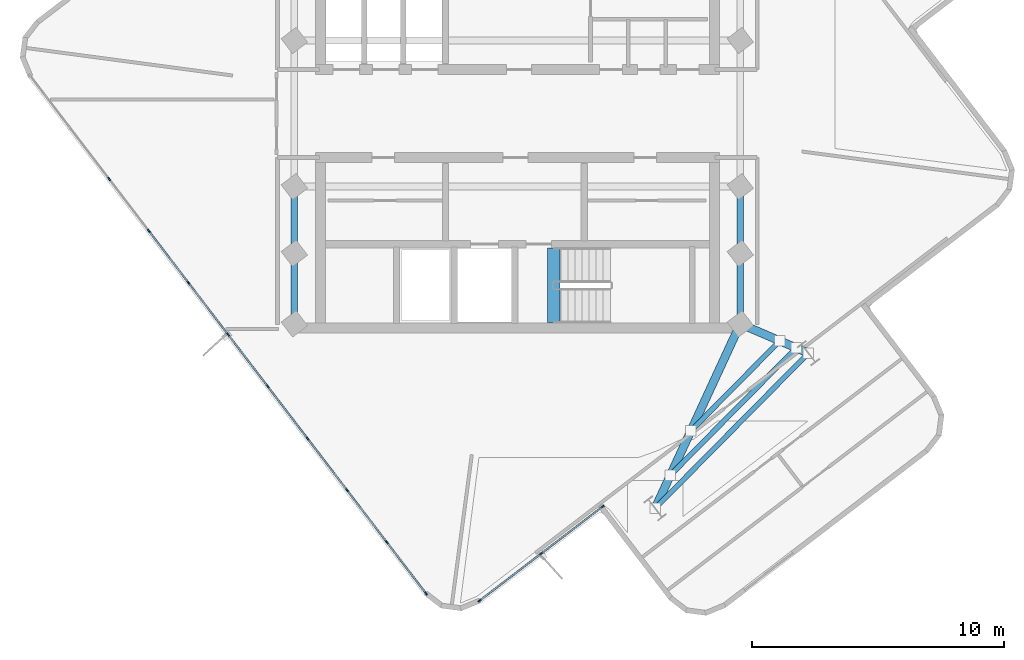
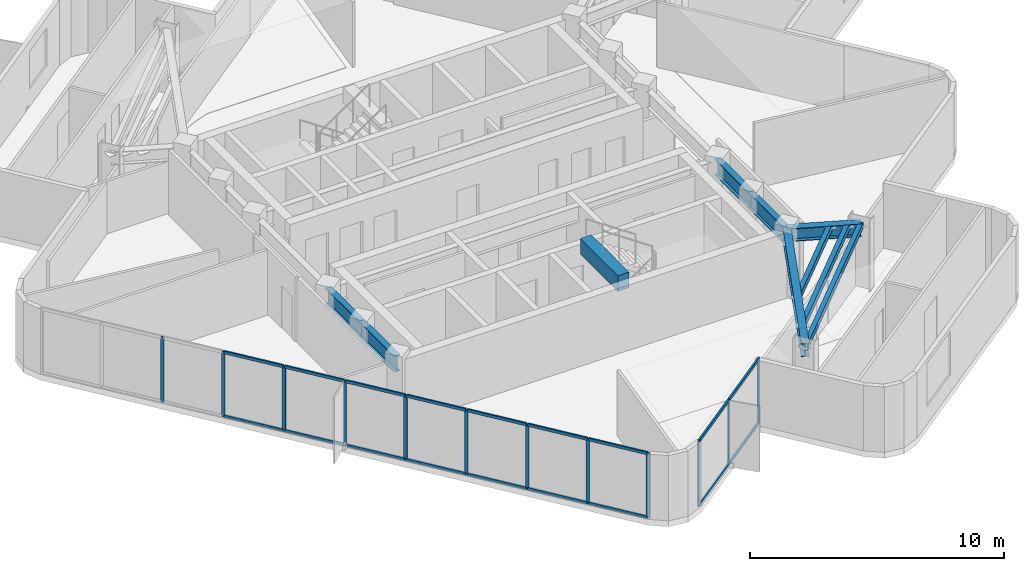
# One storey, part 2 of 9: 30 members, 10 beams, 2 elements without a shape of their own.
"""IFC4 building model written with IfcOpenShell, lengths in metres."""

from ifc_helpers import new_model, si_unit, direction, frame, origin, origin_2d, place, context, subcontext, project, spatial, rectangle, hollow_rectangle, i_section, extrude, material, layer, layer_set, material_profile, profile_set, type_object, element, aggregate, save


model = new_model("IFC4")

# Units and contexts
model_context = context("Model", 3, precision=1e-05, world=origin(), true_north=direction((0.0, 1.0)))
body_context = subcontext(model_context, "Body", "Model", "MODEL_VIEW")
ifc_project = project(units=[si_unit("LENGTHUNIT", "METRE"), si_unit("AREAUNIT", "SQUARE_METRE"), si_unit("VOLUMEUNIT", "CUBIC_METRE"), si_unit("PLANEANGLEUNIT", "RADIAN"), si_unit("MASSUNIT", "GRAM", prefix="KILO")], contexts=[model_context])

# Site, building, storey
site_placement = place(None, origin())
site = spatial("IfcSite", under=ifc_project, at=site_placement, CompositionType="ELEMENT")
building_placement = place(site_placement, origin())
building = spatial("IfcBuilding", under=site, at=building_placement, Name="Solmarez Civic Tower", CompositionType="ELEMENT")
storey_placement = place(building_placement, frame((0.0, 0.0, 229.139892578125)))
storey = spatial("IfcBuildingStorey", under=building, at=storey_placement, Name="L61", CompositionType="ELEMENT", Elevation=229.139892578125)

# Beams
ifc_material_1 = material(Name="Steel S355", Category="steel")
ifc_material_profile_1 = material_profile(ifc_material_1, hollow_rectangle(XDim=0.199951171875, YDim=0.300048828125, WallThickness=0.011962890625, at=origin_2d()), Name="HSS300X200X12")
ifc_profile_set_1 = profile_set([ifc_material_profile_1], Name="Steel S355")
beam_type_1 = type_object("IfcBeamType", Name="BM-JS-HSS300X200", PredefinedType="JOIST", material=ifc_profile_set_1)
beam_1_placement = place(storey_placement, frame((5.468017578125, -15.6708984375, 2.989990234375), z_axis=(0.702766092364, 0.711420986072, 0.0), x_axis=(-0.711420986072, 0.702766092364, 0.0)))
element("IfcBeam", 1, at=beam_1_placement, inside=storey, type_object=beam_type_1, Name="L61 Secondary Floor Joist BM-L61-SA-T1", PredefinedType="JOIST", context=body_context, shape_type="SweptSolid", body=[
    extrude(hollow_rectangle(XDim=0.199951171875, YDim=0.300048828125, WallThickness=0.011962890625, at=origin_2d()), origin(), (0.0, 0.0, 1.0), 8.659912109375),
])
beam_2_placement = place(storey_placement, frame((6.887939453125, -12.595947265625, 2.989990234375), z_axis=(0.702816380081, 0.711371306625, 0.0), x_axis=(-0.711371306625, 0.702816380081, 0.0)))
element("IfcBeam", 2, at=beam_2_placement, inside=storey, type_object=beam_type_1, Name="L61 Secondary Floor Joist JS-L61-SA-M11", PredefinedType="JOIST", context=body_context, shape_type="SweptSolid", body=[
    extrude(hollow_rectangle(XDim=0.199951171875, YDim=0.300048828125, WallThickness=0.011962890625, at=origin_2d()), origin(), (0.0, 0.0, 1.0), 5.022705078125),
])
beam_3_placement = place(storey_placement, frame((6.076904296875, -14.35302734375, 2.989990234375), z_axis=(0.702726827997, 0.711459770622, 0.0), x_axis=(-0.711459770622, 0.702726827997, 0.0)))
element("IfcBeam", 3, at=beam_3_placement, inside=storey, type_object=beam_type_1, Name="L61 Secondary Floor Joist JS-L61-SA-M12", PredefinedType="JOIST", context=body_context, shape_type="SweptSolid", body=[
    extrude(hollow_rectangle(XDim=0.199951171875, YDim=0.300048828125, WallThickness=0.011962890625, at=origin_2d()), origin(), (0.0, 0.0, 1.0), 7.100830078125),
])
ifc_material_2 = material(Name="Concrete C50/60", Category="concrete")
ifc_material_profile_2 = material_profile(ifc_material_2, rectangle(XDim=0.5, YDim=0.75, at=origin_2d()), Name="RC500X750")
ifc_profile_set_2 = profile_set([ifc_material_profile_2], Name="Concrete C50/60")
beam_type_2 = type_object("IfcBeamType", Name="BM-PR-RC500X750", PredefinedType="BEAM", material=ifc_profile_set_2)
beam_4_placement = place(storey_placement, frame((1.449951171875, -8.300048828125, 3.05322265625), z_axis=(0.0, 1.0, 0.0), x_axis=(-1.0, 0.0, 0.0)))
element("IfcBeam", 4, at=beam_4_placement, inside=storey, type_object=beam_type_2, Name="L61 South Stair Threshold Beam", PredefinedType="BEAM", context=body_context, shape_type="SweptSolid", body=[
    extrude(rectangle(XDim=0.5, YDim=0.75, at=origin_2d()), origin(), (0.0, 0.0, 1.0), 2.9599609375),
])
ifc_material_profile_3 = material_profile(ifc_material_1, i_section(OverallWidth=0.327880859375, OverallDepth=0.6220703125, WebThickness=0.015380859375, FlangeThickness=0.0244140625, at=origin_2d()), Name="W24X131")
ifc_profile_set_3 = profile_set([ifc_material_profile_3], Name="Steel S355")
beam_type_3 = type_object("IfcBeamType", Name="BM-PR-W24X131", PredefinedType="BEAM", material=ifc_profile_set_3)
beam_5_placement = place(storey_placement, frame((8.85009765625, -8.35009765625, 2.8291015625), z_axis=(-0.419390280967, -0.907806032273, 0.0), x_axis=(0.907806032273, -0.419390280967, 0.0)))
element("IfcBeam", 5, at=beam_5_placement, inside=storey, type_object=beam_type_3, Name="L61 Primary Floor Beam BM-L61-SA-R1A", PredefinedType="BEAM", context=body_context, shape_type="SweptSolid", body=[
    extrude(i_section(OverallWidth=0.327880859375, OverallDepth=0.6220703125, WebThickness=0.015380859375, FlangeThickness=0.0244140625, at=origin_2d()), origin(), (0.0, 0.0, 1.0), 8.064208984375),
])
beam_6_placement = place(storey_placement, frame((8.85009765625, -8.35009765625, 2.8291015625), z_axis=(0.919007627325, -0.394239750557, 0.0), x_axis=(0.394239750557, 0.919007627325, 0.0)))
element("IfcBeam", 6, at=beam_6_placement, inside=storey, type_object=beam_type_3, Name="L61 Primary Floor Beam BM-L61-SA-R1B", PredefinedType="BEAM", context=body_context, shape_type="SweptSolid", body=[
    extrude(i_section(OverallWidth=0.327880859375, OverallDepth=0.6220703125, WebThickness=0.015380859375, FlangeThickness=0.0244140625, at=origin_2d()), origin(), (0.0, 0.0, 1.0), 2.942138671875),
])
ifc_material_profile_4 = material_profile(ifc_material_1, i_section(OverallWidth=0.26708984375, OverallDepth=0.761962890625, WebThickness=0.014404296875, FlangeThickness=0.021484375, at=origin_2d()), Name="W30X116")
ifc_profile_set_4 = profile_set([ifc_material_profile_4], Name="Steel S355")
beam_type_4 = type_object("IfcBeamType", Name="BM-PR-W30X116", PredefinedType="BEAM", material=ifc_profile_set_4)
beam_7_placement = place(storey_placement, frame((-8.85009765625, -8.35009765625, 2.759033203125), z_axis=(0.0, 1.0, 0.0), x_axis=(-1.0, 0.0, 0.0)))
element("IfcBeam", 7, at=beam_7_placement, inside=storey, type_object=beam_type_4, Name="L61 Primary Floor Beam BM-L61-HC12-HC1", PredefinedType="BEAM", context=body_context, shape_type="SweptSolid", body=[
    extrude(i_section(OverallWidth=0.26708984375, OverallDepth=0.761962890625, WebThickness=0.014404296875, FlangeThickness=0.021484375, at=origin_2d()), origin(), (0.0, 0.0, 1.0), 2.800048828125),
])
beam_8_placement = place(storey_placement, frame((-8.85009765625, -5.550048828125, 2.759033203125), z_axis=(0.0, 1.0, 0.0), x_axis=(-1.0, 0.0, 0.0)))
element("IfcBeam", 8, at=beam_8_placement, inside=storey, type_object=beam_type_4, Name="L61 Primary Floor Beam BM-L61-HC1-HC2", PredefinedType="BEAM", context=body_context, shape_type="SweptSolid", body=[
    extrude(i_section(OverallWidth=0.26708984375, OverallDepth=0.761962890625, WebThickness=0.014404296875, FlangeThickness=0.021484375, at=origin_2d()), origin(), (0.0, 0.0, 1.0), 2.650146484375),
])
beam_9_placement = place(storey_placement, frame((8.85009765625, -8.35009765625, 2.759033203125), z_axis=(0.0, 1.0, 0.0), x_axis=(-1.0, 0.0, 0.0)))
element("IfcBeam", 9, at=beam_9_placement, inside=storey, type_object=beam_type_4, Name="L61 Primary Floor Beam BM-L61-HC10-HC5", PredefinedType="BEAM", context=body_context, shape_type="SweptSolid", body=[
    extrude(i_section(OverallWidth=0.26708984375, OverallDepth=0.761962890625, WebThickness=0.014404296875, FlangeThickness=0.021484375, at=origin_2d()), origin(), (0.0, 0.0, 1.0), 2.800048828125),
])
beam_10_placement = place(storey_placement, frame((8.85009765625, -5.550048828125, 2.759033203125), z_axis=(0.0, 1.0, 0.0), x_axis=(-1.0, 0.0, 0.0)))
element("IfcBeam", 10, at=beam_10_placement, inside=storey, type_object=beam_type_4, Name="L61 Primary Floor Beam BM-L61-HC5-HC6", PredefinedType="BEAM", context=body_context, shape_type="SweptSolid", body=[
    extrude(i_section(OverallWidth=0.26708984375, OverallDepth=0.761962890625, WebThickness=0.014404296875, FlangeThickness=0.021484375, at=origin_2d()), origin(), (0.0, 0.0, 1.0), 2.650146484375),
])

# Curtain wall, members
ifc_material_3 = material(Name="Bronze Anodised Aluminium EN AW-6063 T6", Category="aluminium")
ifc_layer = layer(ifc_material_3, 0.1650390625)
ifc_layer_set = layer_set([ifc_layer], Name="Bronze Anodised Aluminium EN AW-6063 T6")
curtain_wall_type = type_object("IfcCurtainWallType", Name="CW-SYS-4", PredefinedType="NOTDEFINED", material=ifc_layer_set)
curtain_wall_1_placement = place(storey_placement, origin())
curtain_wall_1 = element("IfcCurtainWall", 11, at=curtain_wall_1_placement, inside=storey, type_object=curtain_wall_type, Name="L61 Stick-Built Curtain Wall 1", PredefinedType="NOTDEFINED")
ifc_material_profile_5 = material_profile(ifc_material_3, rectangle(XDim=0.06005859375, YDim=0.14990234375, at=origin_2d()), Name="CWM-60X150")
ifc_profile_set_5 = profile_set([ifc_material_profile_5], Name="Bronze Anodised Aluminium EN AW-6063 T6")
member_type_1 = type_object("IfcMemberType", Name="CWM-TYPE-4", PredefinedType="MULLION", material=ifc_profile_set_5)
member_1_placement = place(storey_placement, frame((3.382080078125, -15.602294921875, 0.0), z_axis=(0.0, 0.0, 1.0), x_axis=(0.607480028029, -0.794334951734, 0.0)))
member_1 = element("IfcMember", 12, at=member_1_placement, type_object=member_type_1, Name="CWS4 mullion 1", PredefinedType="MULLION", context=body_context, shape_type="SweptSolid", body=[
    extrude(rectangle(XDim=0.06005859375, YDim=0.14990234375, at=origin_2d()), origin(), (0.0, 0.0, 1.0), 3.14013671875),
])
member_2_placement = place(storey_placement, frame((0.9423828125, -17.468017578125, 0.0), z_axis=(0.0, 0.0, 1.0), x_axis=(0.607480028029, -0.794334951734, 0.0)))
member_2 = element("IfcMember", 13, at=member_2_placement, type_object=member_type_1, Name="CWS4 mullion 2", PredefinedType="MULLION", context=body_context, shape_type="SweptSolid", body=[
    extrude(rectangle(XDim=0.06005859375, YDim=0.14990234375, at=origin_2d()), origin(), (0.0, 0.0, 1.0), 3.14013671875),
])
member_3_placement = place(storey_placement, frame((-1.4970703125, -19.333740234375, 0.0), z_axis=(0.0, 0.0, 1.0), x_axis=(0.607480028029, -0.794334951734, 0.0)))
member_3 = element("IfcMember", 14, at=member_3_placement, type_object=member_type_1, Name="CWS4 mullion 3", PredefinedType="MULLION", context=body_context, shape_type="SweptSolid", body=[
    extrude(rectangle(XDim=0.06005859375, YDim=0.14990234375, at=origin_2d()), origin(), (0.0, 0.0, 1.0), 3.14013671875),
])

curtain_wall_2_placement = place(storey_placement, origin())
curtain_wall_2 = element("IfcCurtainWall", 15, at=curtain_wall_2_placement, inside=storey, type_object=curtain_wall_type, Name="L61 Stick-Built Curtain Wall 2", PredefinedType="NOTDEFINED")
member_4_placement = place(storey_placement, frame((-3.625244140625, -19.050048828125, 0.0), z_axis=(0.0, 0.0, 1.0), x_axis=(-0.794434469598, -0.607349877348, 0.0)))
member_4 = element("IfcMember", 16, at=member_4_placement, type_object=member_type_1, Name="CWS4 mullion 1", PredefinedType="MULLION", context=body_context, shape_type="SweptSolid", body=[
    extrude(rectangle(XDim=0.06005859375, YDim=0.14990234375, at=origin_2d()), origin(), (0.0, 0.0, 1.0), 3.14013671875),
])
member_5_placement = place(storey_placement, frame((-5.181396484375, -17.014404296875, 0.0), z_axis=(0.0, 0.0, 1.0), x_axis=(-0.794434469598, -0.607349877348, 0.0)))
member_5 = element("IfcMember", 17, at=member_5_placement, type_object=member_type_1, Name="CWS4 mullion 2", PredefinedType="MULLION", context=body_context, shape_type="SweptSolid", body=[
    extrude(rectangle(XDim=0.06005859375, YDim=0.14990234375, at=origin_2d()), origin(), (0.0, 0.0, 1.0), 3.14013671875),
])
member_6_placement = place(storey_placement, frame((-6.756103515625, -14.955078125, 0.0), z_axis=(0.0, 0.0, 1.0), x_axis=(-0.794434469598, -0.607349877348, 0.0)))
member_6 = element("IfcMember", 18, at=member_6_placement, type_object=member_type_1, Name="CWS4 mullion 3", PredefinedType="MULLION", context=body_context, shape_type="SweptSolid", body=[
    extrude(rectangle(XDim=0.06005859375, YDim=0.14990234375, at=origin_2d()), origin(), (0.0, 0.0, 1.0), 3.14013671875),
])
member_7_placement = place(storey_placement, frame((-8.33056640625, -12.8955078125, 0.0), z_axis=(0.0, 0.0, 1.0), x_axis=(-0.794434469598, -0.607349877348, 0.0)))
member_7 = element("IfcMember", 19, at=member_7_placement, type_object=member_type_1, Name="CWS4 mullion 4", PredefinedType="MULLION", context=body_context, shape_type="SweptSolid", body=[
    extrude(rectangle(XDim=0.06005859375, YDim=0.14990234375, at=origin_2d()), origin(), (0.0, 0.0, 1.0), 3.14013671875),
])
member_8_placement = place(storey_placement, frame((-9.905029296875, -10.8359375, 0.0), z_axis=(0.0, 0.0, 1.0), x_axis=(-0.794434469598, -0.607349877348, 0.0)))
member_8 = element("IfcMember", 20, at=member_8_placement, type_object=member_type_1, Name="CWS4 mullion 5", PredefinedType="MULLION", context=body_context, shape_type="SweptSolid", body=[
    extrude(rectangle(XDim=0.06005859375, YDim=0.14990234375, at=origin_2d()), origin(), (0.0, 0.0, 1.0), 3.14013671875),
])
member_9_placement = place(storey_placement, frame((-11.4794921875, -8.776611328125, 0.0), z_axis=(0.0, 0.0, 1.0), x_axis=(-0.794434469598, -0.607349877348, 0.0)))
member_9 = element("IfcMember", 21, at=member_9_placement, type_object=member_type_1, Name="CWS4 mullion 6", PredefinedType="MULLION", context=body_context, shape_type="SweptSolid", body=[
    extrude(rectangle(XDim=0.06005859375, YDim=0.14990234375, at=origin_2d()), origin(), (0.0, 0.0, 1.0), 3.14013671875),
])
member_10_placement = place(storey_placement, frame((-13.053955078125, -6.717041015625, 0.0), z_axis=(0.0, 0.0, 1.0), x_axis=(-0.794434469598, -0.607349877348, 0.0)))
member_10 = element("IfcMember", 22, at=member_10_placement, type_object=member_type_1, Name="CWS4 mullion 7", PredefinedType="MULLION", context=body_context, shape_type="SweptSolid", body=[
    extrude(rectangle(XDim=0.06005859375, YDim=0.14990234375, at=origin_2d()), origin(), (0.0, 0.0, 1.0), 3.14013671875),
])
member_11_placement = place(storey_placement, frame((-14.62841796875, -4.657470703125, 0.0), z_axis=(0.0, 0.0, 1.0), x_axis=(-0.794434469598, -0.607349877348, 0.0)))
member_11 = element("IfcMember", 23, at=member_11_placement, type_object=member_type_1, Name="CWS4 mullion 8", PredefinedType="MULLION", context=body_context, shape_type="SweptSolid", body=[
    extrude(rectangle(XDim=0.06005859375, YDim=0.14990234375, at=origin_2d()), origin(), (0.0, 0.0, 1.0), 3.14013671875),
])
member_12_placement = place(storey_placement, frame((-16.202880859375, -2.597900390625, 0.0), z_axis=(0.0, 0.0, 1.0), x_axis=(-0.794434469598, -0.607349877348, 0.0)))
member_12 = element("IfcMember", 24, at=member_12_placement, type_object=member_type_1, Name="CWS4 mullion 9", PredefinedType="MULLION", context=body_context, shape_type="SweptSolid", body=[
    extrude(rectangle(XDim=0.06005859375, YDim=0.14990234375, at=origin_2d()), origin(), (0.0, 0.0, 1.0), 3.14013671875),
])

# Member
ifc_material_profile_6 = material_profile(ifc_material_3, rectangle(XDim=0.070068359375, YDim=0.139892578125, at=origin_2d()), Name="CWT-70X140")
ifc_profile_set_6 = profile_set([ifc_material_profile_6], Name="Bronze Anodised Aluminium EN AW-6063 T6")
member_type_2 = type_object("IfcMemberType", Name="CWT-TYPE-1", PredefinedType="USERDEFINED", material=ifc_profile_set_6)
member_13_placement = place(storey_placement, frame((3.3583984375, -15.620361328125, 0.03515625), z_axis=(-0.794341724541, -0.60747117187, 0.0), x_axis=(0.60747117187, -0.794341724541, 0.0)))
member_13 = element("IfcMember", 25, at=member_13_placement, type_object=member_type_2, Name="CWS4 transom 1.1", ObjectType="TRANSOM", PredefinedType="USERDEFINED", context=body_context, shape_type="SweptSolid", body=[
    extrude(rectangle(XDim=0.070068359375, YDim=0.139892578125, at=origin_2d()), origin(), (0.0, 0.0, 1.0), 3.011474609375),
])

member_14_placement = place(storey_placement, frame((3.3583984375, -15.620361328125, 3.105224609375), z_axis=(-0.794341724541, -0.60747117187, 0.0), x_axis=(0.60747117187, -0.794341724541, 0.0)))
member_14 = element("IfcMember", 26, at=member_14_placement, type_object=member_type_2, Name="CWS4 transom 1.2", ObjectType="TRANSOM", PredefinedType="USERDEFINED", context=body_context, shape_type="SweptSolid", body=[
    extrude(rectangle(XDim=0.070068359375, YDim=0.139892578125, at=origin_2d()), origin(), (0.0, 0.0, 1.0), 3.011474609375),
])

member_15_placement = place(storey_placement, frame((0.918701171875, -17.486328125, 0.03515625), z_axis=(-0.794380845193, -0.607420013491, 0.0), x_axis=(0.607420013491, -0.794380845193, 0.0)))
member_15 = element("IfcMember", 27, at=member_15_placement, type_object=member_type_2, Name="CWS4 transom 2.1", ObjectType="TRANSOM", PredefinedType="USERDEFINED", context=body_context, shape_type="SweptSolid", body=[
    extrude(rectangle(XDim=0.070068359375, YDim=0.139892578125, at=origin_2d()), origin(), (0.0, 0.0, 1.0), 3.01123046875),
])

member_16_placement = place(storey_placement, frame((0.918701171875, -17.486328125, 3.105224609375), z_axis=(-0.794380845193, -0.607420013491, 0.0), x_axis=(0.607420013491, -0.794380845193, 0.0)))
member_16 = element("IfcMember", 28, at=member_16_placement, type_object=member_type_2, Name="CWS4 transom 2.2", ObjectType="TRANSOM", PredefinedType="USERDEFINED", context=body_context, shape_type="SweptSolid", body=[
    extrude(rectangle(XDim=0.070068359375, YDim=0.139892578125, at=origin_2d()), origin(), (0.0, 0.0, 1.0), 3.01123046875),
])

aggregate(curtain_wall_1, [member_1, member_2, member_3, member_13, member_14, member_15, member_16])

member_17_placement = place(storey_placement, frame((-3.6435546875, -19.0263671875, 0.03515625), z_axis=(-0.607326975463, 0.794451977702, 0.0), x_axis=(-0.794451977702, -0.607326975463, 0.0)))
member_17 = element("IfcMember", 29, at=member_17_placement, type_object=member_type_2, Name="CWS4 transom 1.1", ObjectType="TRANSOM", PredefinedType="USERDEFINED", context=body_context, shape_type="SweptSolid", body=[
    extrude(rectangle(XDim=0.070068359375, YDim=0.139892578125, at=origin_2d()), origin(), (0.0, 0.0, 1.0), 2.50244140625),
])

member_18_placement = place(storey_placement, frame((-3.6435546875, -19.0263671875, 3.105224609375), z_axis=(-0.607326975463, 0.794451977702, 0.0), x_axis=(-0.794451977702, -0.607326975463, 0.0)))
member_18 = element("IfcMember", 30, at=member_18_placement, type_object=member_type_2, Name="CWS4 transom 1.2", ObjectType="TRANSOM", PredefinedType="USERDEFINED", context=body_context, shape_type="SweptSolid", body=[
    extrude(rectangle(XDim=0.070068359375, YDim=0.139892578125, at=origin_2d()), origin(), (0.0, 0.0, 1.0), 2.50244140625),
])

member_19_placement = place(storey_placement, frame((-5.19970703125, -16.99072265625, 0.03515625), z_axis=(-0.607332019047, 0.794448122058, 0.0), x_axis=(-0.794448122058, -0.607332019047, 0.0)))
member_19 = element("IfcMember", 31, at=member_19_placement, type_object=member_type_2, Name="CWS4 transom 2.1", ObjectType="TRANSOM", PredefinedType="USERDEFINED", context=body_context, shape_type="SweptSolid", body=[
    extrude(rectangle(XDim=0.070068359375, YDim=0.139892578125, at=origin_2d()), origin(), (0.0, 0.0, 1.0), 2.532470703125),
])

member_20_placement = place(storey_placement, frame((-5.19970703125, -16.99072265625, 3.105224609375), z_axis=(-0.607332019047, 0.794448122058, 0.0), x_axis=(-0.794448122058, -0.607332019047, 0.0)))
member_20 = element("IfcMember", 32, at=member_20_placement, type_object=member_type_2, Name="CWS4 transom 2.2", ObjectType="TRANSOM", PredefinedType="USERDEFINED", context=body_context, shape_type="SweptSolid", body=[
    extrude(rectangle(XDim=0.070068359375, YDim=0.139892578125, at=origin_2d()), origin(), (0.0, 0.0, 1.0), 2.532470703125),
])

member_21_placement = place(storey_placement, frame((-6.774169921875, -14.93115234375, 0.03515625), z_axis=(-0.607378534889, 0.794412559918, 0.0), x_axis=(-0.794412559918, -0.607378534889, 0.0)))
member_21 = element("IfcMember", 33, at=member_21_placement, type_object=member_type_2, Name="CWS4 transom 3.1", ObjectType="TRANSOM", PredefinedType="USERDEFINED", context=body_context, shape_type="SweptSolid", body=[
    extrude(rectangle(XDim=0.070068359375, YDim=0.139892578125, at=origin_2d()), origin(), (0.0, 0.0, 1.0), 2.5322265625),
])

member_22_placement = place(storey_placement, frame((-6.774169921875, -14.93115234375, 3.105224609375), z_axis=(-0.607378534889, 0.794412559918, 0.0), x_axis=(-0.794412559918, -0.607378534889, 0.0)))
member_22 = element("IfcMember", 34, at=member_22_placement, type_object=member_type_2, Name="CWS4 transom 3.2", ObjectType="TRANSOM", PredefinedType="USERDEFINED", context=body_context, shape_type="SweptSolid", body=[
    extrude(rectangle(XDim=0.070068359375, YDim=0.139892578125, at=origin_2d()), origin(), (0.0, 0.0, 1.0), 2.5322265625),
])

member_23_placement = place(storey_placement, frame((-8.3486328125, -12.87158203125, 0.03515625), z_axis=(-0.607378534889, 0.794412559918, 0.0), x_axis=(-0.794412559918, -0.607378534889, 0.0)))
member_23 = element("IfcMember", 35, at=member_23_placement, type_object=member_type_2, Name="CWS4 transom 4.1", ObjectType="TRANSOM", PredefinedType="USERDEFINED", context=body_context, shape_type="SweptSolid", body=[
    extrude(rectangle(XDim=0.070068359375, YDim=0.139892578125, at=origin_2d()), origin(), (0.0, 0.0, 1.0), 2.5322265625),
])

member_24_placement = place(storey_placement, frame((-8.3486328125, -12.87158203125, 3.105224609375), z_axis=(-0.607378534889, 0.794412559918, 0.0), x_axis=(-0.794412559918, -0.607378534889, 0.0)))
member_24 = element("IfcMember", 36, at=member_24_placement, type_object=member_type_2, Name="CWS4 transom 4.2", ObjectType="TRANSOM", PredefinedType="USERDEFINED", context=body_context, shape_type="SweptSolid", body=[
    extrude(rectangle(XDim=0.070068359375, YDim=0.139892578125, at=origin_2d()), origin(), (0.0, 0.0, 1.0), 2.5322265625),
])

member_25_placement = place(storey_placement, frame((-9.92333984375, -10.812255859375, 0.03515625), z_axis=(-0.607271169849, 0.794494635772, 0.0), x_axis=(-0.794494635772, -0.607271169849, 0.0)))
member_25 = element("IfcMember", 37, at=member_25_placement, type_object=member_type_2, Name="CWS4 transom 5.1", ObjectType="TRANSOM", PredefinedType="USERDEFINED", context=body_context, shape_type="SweptSolid", body=[
    extrude(rectangle(XDim=0.070068359375, YDim=0.139892578125, at=origin_2d()), origin(), (0.0, 0.0, 1.0), 2.532470703125),
])

member_26_placement = place(storey_placement, frame((-9.92333984375, -10.812255859375, 3.105224609375), z_axis=(-0.607271169849, 0.794494635772, 0.0), x_axis=(-0.794494635772, -0.607271169849, 0.0)))
member_26 = element("IfcMember", 38, at=member_26_placement, type_object=member_type_2, Name="CWS4 transom 5.2", ObjectType="TRANSOM", PredefinedType="USERDEFINED", context=body_context, shape_type="SweptSolid", body=[
    extrude(rectangle(XDim=0.070068359375, YDim=0.139892578125, at=origin_2d()), origin(), (0.0, 0.0, 1.0), 2.532470703125),
])

member_27_placement = place(storey_placement, frame((-11.497802734375, -8.752685546875, 0.03515625), z_axis=(-0.607332019047, 0.794448122058, 0.0), x_axis=(-0.794448122058, -0.607332019047, 0.0)))
member_27 = element("IfcMember", 39, at=member_27_placement, type_object=member_type_2, Name="CWS4 transom 6.1", ObjectType="TRANSOM", PredefinedType="USERDEFINED", context=body_context, shape_type="SweptSolid", body=[
    extrude(rectangle(XDim=0.070068359375, YDim=0.139892578125, at=origin_2d()), origin(), (0.0, 0.0, 1.0), 2.532470703125),
])

member_28_placement = place(storey_placement, frame((-11.497802734375, -8.752685546875, 3.105224609375), z_axis=(-0.607332019047, 0.794448122058, 0.0), x_axis=(-0.794448122058, -0.607332019047, 0.0)))
member_28 = element("IfcMember", 40, at=member_28_placement, type_object=member_type_2, Name="CWS4 transom 6.2", ObjectType="TRANSOM", PredefinedType="USERDEFINED", context=body_context, shape_type="SweptSolid", body=[
    extrude(rectangle(XDim=0.070068359375, YDim=0.139892578125, at=origin_2d()), origin(), (0.0, 0.0, 1.0), 2.532470703125),
])

member_29_placement = place(storey_placement, frame((-13.072265625, -6.693115234375, 0.03515625), z_axis=(-0.607378534889, 0.794412559918, 0.0), x_axis=(-0.794412559918, -0.607378534889, 0.0)))
member_29 = element("IfcMember", 41, at=member_29_placement, type_object=member_type_2, Name="CWS4 transom 7.1", ObjectType="TRANSOM", PredefinedType="USERDEFINED", context=body_context, shape_type="SweptSolid", body=[
    extrude(rectangle(XDim=0.070068359375, YDim=0.139892578125, at=origin_2d()), origin(), (0.0, 0.0, 1.0), 2.5322265625),
])

member_30_placement = place(storey_placement, frame((-13.072265625, -6.693115234375, 3.105224609375), z_axis=(-0.607378534889, 0.794412559918, 0.0), x_axis=(-0.794412559918, -0.607378534889, 0.0)))
member_30 = element("IfcMember", 42, at=member_30_placement, type_object=member_type_2, Name="CWS4 transom 7.2", ObjectType="TRANSOM", PredefinedType="USERDEFINED", context=body_context, shape_type="SweptSolid", body=[
    extrude(rectangle(XDim=0.070068359375, YDim=0.139892578125, at=origin_2d()), origin(), (0.0, 0.0, 1.0), 2.5322265625),
])

aggregate(curtain_wall_2, [member_4, member_5, member_6, member_7, member_8, member_9, member_10, member_11, member_12, member_17, member_18, member_19, member_20, member_21, member_22, member_23, member_24, member_25, member_26, member_27, member_28, member_29, member_30])

save(model, "model.ifc")
